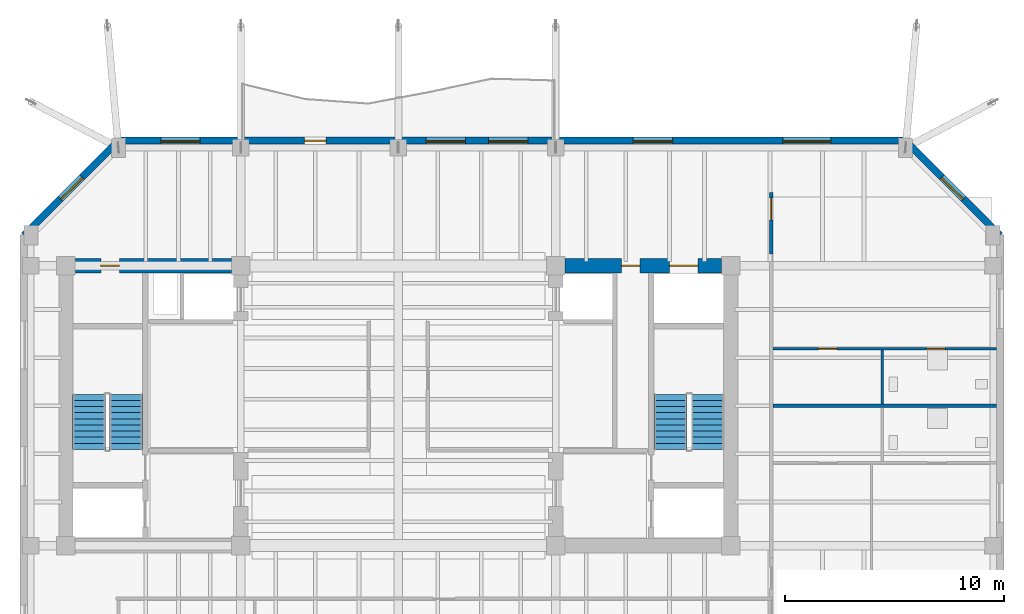
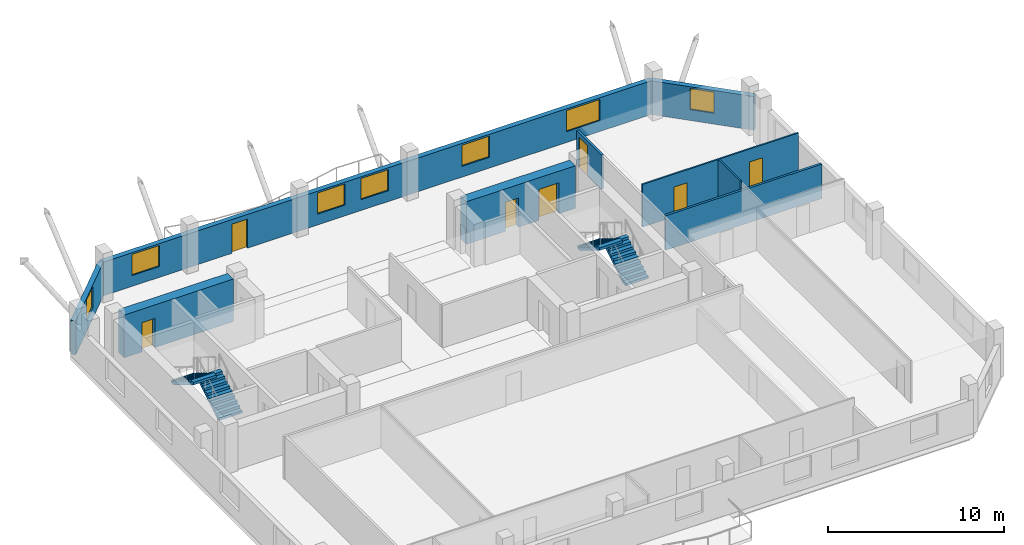
# One storey, part 7 of 11: 9 walls, 7 doors, 7 windows, 4 stair flights, 14 openings, 2 elements without a shape of their own.
"""IFC4 building model written with IfcOpenShell, lengths in metres."""

from ifc_helpers import new_model, si_unit, direction, frame, frame_2d, origin, place, context, subcontext, project, spatial, polyline, rectangle, outline, extrude, material, layer, layer_set, type_object, element, fill, aggregate, save


model = new_model("IFC4")

# Units and contexts
model_context = context("Model", 3, precision=1e-05, world=origin(), true_north=direction((0.0, 1.0)))
body_context = subcontext(model_context, "Body", "Model", "MODEL_VIEW")
ifc_project = project(units=[si_unit("LENGTHUNIT", "METRE"), si_unit("AREAUNIT", "SQUARE_METRE"), si_unit("VOLUMEUNIT", "CUBIC_METRE"), si_unit("PLANEANGLEUNIT", "RADIAN"), si_unit("MASSUNIT", "GRAM", prefix="KILO")], contexts=[model_context])

# Site, building, storey
site_placement = place(None, origin())
site = spatial("IfcSite", under=ifc_project, at=site_placement, CompositionType="ELEMENT")
building_placement = place(site_placement, origin())
building = spatial("IfcBuilding", under=site, at=building_placement, Name="Kranthara Brick Stack", CompositionType="ELEMENT")
storey_placement = place(building_placement, frame((0.0, 0.0, 244.89990234375)))
storey = spatial("IfcBuildingStorey", under=building, at=storey_placement, Name="L64", CompositionType="ELEMENT", Elevation=244.89990234375)

# Wall, opening, window
ifc_material_1 = material(Name="Warm buff clay brick masonry M15", Category="masonry")
ifc_layer_1 = layer(ifc_material_1, 0.320068359375)
ifc_layer_set_1 = layer_set([ifc_layer_1], Name="Warm buff clay brick masonry M15")
wall_type_1 = type_object("IfcWallType", Name="WL-BRK-UPPR-320", PredefinedType="STANDARD", material=ifc_layer_set_1)
wall_1_placement = place(storey_placement, frame((10.8798828125, 35.0, 0.0), z_axis=(0.0, 0.0, 1.0), x_axis=(0.707106781187, 0.707106781187, 0.0)))
wall_1 = element("IfcWall", 1, at=wall_1_placement, inside=storey, type_object=wall_type_1, Name="L64 Exterior Brick Facade Wall NW 1", PredefinedType="STANDARD", context=body_context, shape_type="SweptSolid", body=[
    extrude(rectangle(XDim=6.109619140625, YDim=0.320068359375, at=frame_2d((3.0546875, 0.0))), origin(), (0.0, 0.0, 1.0), 2.335205078125),
])
opening_1_placement = place(wall_1_placement, frame((2.35498046875, 0.0, 0.75)))
opening_1 = element("IfcOpeningElement", 2, at=opening_1_placement, cuts=wall_1, Name="Opening WN10", PredefinedType="OPENING", context=body_context, shape_type="SweptSolid", body=[
    extrude(rectangle(XDim=1.39990234375, YDim=1.465087890625, at=frame_2d((0.699951171875, 0.732421875))), frame((0.0, 0.169921875, 0.0), z_axis=(0.0, -1.0, 0.0), x_axis=(1.0, 0.0, 0.0)), (0.0, 0.0, 1.0), 0.340087890625),
])
ifc_material_2 = material(Name="Double-glazed low-E solar control glass", Category="glass")
window_type_1 = type_object("IfcWindowType", Name="WN-CHM-1400x1750", PartitioningType="SINGLE_PANEL", PredefinedType="WINDOW", material=ifc_material_2)
window_1_placement = place(opening_1_placement, origin())
window_1 = element("IfcWindow", 3, at=window_1_placement, inside=storey, type_object=window_type_1, Name="L64 NW Chamfer Corner Window", OverallHeight=1.465087890625, OverallWidth=1.39990234375, PartitioningType="SINGLE_PANEL", PredefinedType="WINDOW", context=body_context, shape_type="SweptSolid", body=[
    extrude(rectangle(XDim=1.39990234375, YDim=1.465087890625, at=frame_2d((0.699951171875, 0.732421875))), frame((0.0, -0.010009765625, 0.0), z_axis=(0.0, -1.0, 0.0), x_axis=(1.0, 0.0, 0.0)), (0.0, 0.0, 1.0), 0.06005859375),
])
fill(opening_1, window_1)

# Wall, openings, door, windows
wall_2_placement = place(storey_placement, frame((15.199951171875, 39.320068359375, 0.0), z_axis=(0.0, 0.0, 1.0), x_axis=(1.0, 0.0, 0.0)))
wall_2 = element("IfcWall", 4, at=wall_2_placement, inside=storey, type_object=wall_type_1, Name="L64 Exterior Brick Facade Wall NORTH 1", PredefinedType="STANDARD", context=body_context, shape_type="SweptSolid", body=[
    extrude(rectangle(XDim=36.0, YDim=0.320068359375, at=frame_2d((18.0, 0.0))), origin(), (0.0, 0.0, 1.0), 2.335205078125),
])
opening_2_placement = place(wall_2_placement, frame((8.5, 0.0, 0.0)))
opening_2 = element("IfcOpeningElement", 5, at=opening_2_placement, cuts=wall_2, Name="Opening D03", PredefinedType="OPENING", context=body_context, shape_type="SweptSolid", body=[
    extrude(rectangle(XDim=1.0, YDim=2.02001953125, at=frame_2d((0.5, 1.010009765625))), frame((0.0, 0.169921875, 0.0), z_axis=(0.0, -1.0, 0.0), x_axis=(1.0, 0.0, 0.0)), (0.0, 0.0, 1.0), 0.340087890625),
])
opening_3_placement = place(wall_2_placement, frame((1.93798828125, 0.0, 0.75)))
opening_3 = element("IfcOpeningElement", 6, at=opening_3_placement, cuts=wall_2, Name="Opening WN07", PredefinedType="OPENING", context=body_context, shape_type="SweptSolid", body=[
    extrude(rectangle(XDim=1.800048828125, YDim=1.465087890625, at=frame_2d((0.89990234375, 0.732421875))), frame((0.0, 0.169921875, 0.0), z_axis=(0.0, -1.0, 0.0), x_axis=(1.0, 0.0, 0.0)), (0.0, 0.0, 1.0), 0.340087890625),
])
opening_4_placement = place(wall_2_placement, frame((14.072021484375, 0.0, 0.75)))
opening_4 = element("IfcOpeningElement", 7, at=opening_4_placement, cuts=wall_2, Name="Opening WN07", PredefinedType="OPENING", context=body_context, shape_type="SweptSolid", body=[
    extrude(rectangle(XDim=1.800048828125, YDim=1.465087890625, at=frame_2d((0.89990234375, 0.732421875))), frame((0.0, 0.169921875, 0.0), z_axis=(0.0, -1.0, 0.0), x_axis=(1.0, 0.0, 0.0)), (0.0, 0.0, 1.0), 0.340087890625),
])
opening_5_placement = place(wall_2_placement, frame((16.927978515625, 0.0, 0.75)))
opening_5 = element("IfcOpeningElement", 8, at=opening_5_placement, cuts=wall_2, Name="Opening WN07", PredefinedType="OPENING", context=body_context, shape_type="SweptSolid", body=[
    extrude(rectangle(XDim=1.800048828125, YDim=1.465087890625, at=frame_2d((0.89990234375, 0.732421875))), frame((0.0, 0.169921875, 0.0), z_axis=(0.0, -1.0, 0.0), x_axis=(1.0, 0.0, 0.0)), (0.0, 0.0, 1.0), 0.340087890625),
])
opening_6_placement = place(wall_2_placement, frame((23.541015625, 0.0, 0.75)))
opening_6 = element("IfcOpeningElement", 9, at=opening_6_placement, cuts=wall_2, Name="Opening WN07", PredefinedType="OPENING", context=body_context, shape_type="SweptSolid", body=[
    extrude(rectangle(XDim=1.800048828125, YDim=1.465087890625, at=frame_2d((0.89990234375, 0.732421875))), frame((0.0, 0.169921875, 0.0), z_axis=(0.0, -1.0, 0.0), x_axis=(1.0, 0.0, 0.0)), (0.0, 0.0, 1.0), 0.340087890625),
])
opening_7_placement = place(wall_2_placement, frame((30.384033203125, 0.0, 0.75)))
opening_7 = element("IfcOpeningElement", 10, at=opening_7_placement, cuts=wall_2, Name="Opening WN08", PredefinedType="OPENING", context=body_context, shape_type="SweptSolid", body=[
    extrude(rectangle(XDim=2.199951171875, YDim=1.465087890625, at=frame_2d((1.10009765625, 0.732421875))), frame((0.0, 0.169921875, 0.0), z_axis=(0.0, -1.0, 0.0), x_axis=(1.0, 0.0, 0.0)), (0.0, 0.0, 1.0), 0.340087890625),
])
ifc_material_3 = material(Name="Bronze anodised aluminium and laminated glass", Category="aluminium")
door_type_1 = type_object("IfcDoorType", Name="DR-BALC-1000", OperationType="NOTDEFINED", PredefinedType="DOOR", material=ifc_material_3)
door_1_placement = place(opening_2_placement, origin())
door_1 = element("IfcDoor", 11, at=door_1_placement, inside=storey, type_object=door_type_1, Name="L64 North Balcony Terrace Door", OperationType="SINGLE_SWING_RIGHT", OverallHeight=2.02001953125, OverallWidth=1.0, PredefinedType="DOOR", context=body_context, shape_type="SweptSolid", body=[
    extrude(rectangle(XDim=1.0, YDim=2.02001953125, at=frame_2d((0.5, 1.010009765625))), frame((0.0, 0.02490234375, 0.0), z_axis=(0.0, -1.0, 0.0), x_axis=(1.0, 0.0, 0.0)), (0.0, 0.0, 1.0), 0.050048828125),
])
fill(opening_2, door_1)
ifc_material_4 = material(Name="Double-glazed low-E solar control glass", Category="glass")
window_type_2 = type_object("IfcWindowType", Name="WN-RES-1800x1850", PartitioningType="DOUBLE_PANEL_VERTICAL", PredefinedType="WINDOW", material=ifc_material_4)
window_2_placement = place(opening_3_placement, origin())
window_2 = element("IfcWindow", 12, at=window_2_placement, inside=storey, type_object=window_type_2, Name="L64 North Deep-Set Brick Window 01", OverallHeight=1.465087890625, OverallWidth=1.800048828125, PartitioningType="SINGLE_PANEL", PredefinedType="WINDOW", context=body_context, shape_type="SweptSolid", body=[
    extrude(rectangle(XDim=1.800048828125, YDim=1.465087890625, at=frame_2d((0.89990234375, 0.732421875))), frame((0.0, -0.010009765625, 0.0), z_axis=(0.0, -1.0, 0.0), x_axis=(1.0, 0.0, 0.0)), (0.0, 0.0, 1.0), 0.06005859375),
])
fill(opening_3, window_2)
window_3_placement = place(opening_4_placement, origin())
window_3 = element("IfcWindow", 13, at=window_3_placement, inside=storey, type_object=window_type_2, Name="L64 North Deep-Set Brick Window 02", OverallHeight=1.465087890625, OverallWidth=1.800048828125, PartitioningType="SINGLE_PANEL", PredefinedType="WINDOW", context=body_context, shape_type="SweptSolid", body=[
    extrude(rectangle(XDim=1.800048828125, YDim=1.465087890625, at=frame_2d((0.89990234375, 0.732421875))), frame((0.0, -0.010009765625, 0.0), z_axis=(0.0, -1.0, 0.0), x_axis=(1.0, 0.0, 0.0)), (0.0, 0.0, 1.0), 0.06005859375),
])
fill(opening_4, window_3)
window_4_placement = place(opening_5_placement, origin())
window_4 = element("IfcWindow", 14, at=window_4_placement, inside=storey, type_object=window_type_2, Name="L64 North Deep-Set Brick Window 03", OverallHeight=1.465087890625, OverallWidth=1.800048828125, PartitioningType="SINGLE_PANEL", PredefinedType="WINDOW", context=body_context, shape_type="SweptSolid", body=[
    extrude(rectangle(XDim=1.800048828125, YDim=1.465087890625, at=frame_2d((0.89990234375, 0.732421875))), frame((0.0, -0.010009765625, 0.0), z_axis=(0.0, -1.0, 0.0), x_axis=(1.0, 0.0, 0.0)), (0.0, 0.0, 1.0), 0.06005859375),
])
fill(opening_5, window_4)
window_5_placement = place(opening_6_placement, origin())
window_5 = element("IfcWindow", 15, at=window_5_placement, inside=storey, type_object=window_type_2, Name="L64 North Deep-Set Brick Window 04", OverallHeight=1.465087890625, OverallWidth=1.800048828125, PartitioningType="SINGLE_PANEL", PredefinedType="WINDOW", context=body_context, shape_type="SweptSolid", body=[
    extrude(rectangle(XDim=1.800048828125, YDim=1.465087890625, at=frame_2d((0.89990234375, 0.732421875))), frame((0.0, -0.010009765625, 0.0), z_axis=(0.0, -1.0, 0.0), x_axis=(1.0, 0.0, 0.0)), (0.0, 0.0, 1.0), 0.06005859375),
])
fill(opening_6, window_5)
ifc_material_5 = material(Name="Double-glazed low-E solar control glass", Category="glass")
window_type_3 = type_object("IfcWindowType", Name="WN-RES-2200x1850", PartitioningType="TRIPLE_PANEL_VERTICAL", PredefinedType="WINDOW", material=ifc_material_5)
window_6_placement = place(opening_7_placement, origin())
window_6 = element("IfcWindow", 16, at=window_6_placement, inside=storey, type_object=window_type_3, Name="L64 North Deep-Set Brick Window 05", OverallHeight=1.465087890625, OverallWidth=2.199951171875, PartitioningType="SINGLE_PANEL", PredefinedType="WINDOW", context=body_context, shape_type="SweptSolid", body=[
    extrude(rectangle(XDim=2.199951171875, YDim=1.465087890625, at=frame_2d((1.10009765625, 0.732421875))), frame((0.0, -0.010009765625, 0.0), z_axis=(0.0, -1.0, 0.0), x_axis=(1.0, 0.0, 0.0)), (0.0, 0.0, 1.0), 0.06005859375),
])
fill(opening_7, window_6)

# Wall, opening, window
wall_3_placement = place(storey_placement, frame((51.199951171875, 39.320068359375, 0.0), z_axis=(0.0, 0.0, 1.0), x_axis=(0.707106781187, -0.707106781187, 0.0)))
wall_3 = element("IfcWall", 17, at=wall_3_placement, inside=storey, type_object=wall_type_1, Name="L64 Exterior Brick Facade Wall NE 1", PredefinedType="STANDARD", context=body_context, shape_type="SweptSolid", body=[
    extrude(rectangle(XDim=6.109619140625, YDim=0.320068359375, at=frame_2d((3.0546875, 0.0))), origin(), (0.0, 0.0, 1.0), 2.335205078125),
])
opening_8_placement = place(wall_3_placement, frame((2.35498046875, 0.0, 0.75)))
opening_8 = element("IfcOpeningElement", 18, at=opening_8_placement, cuts=wall_3, Name="Opening WN10", PredefinedType="OPENING", context=body_context, shape_type="SweptSolid", body=[
    extrude(rectangle(XDim=1.39990234375, YDim=1.465087890625, at=frame_2d((0.699951171875, 0.732421875))), frame((0.0, 0.169921875, 0.0), z_axis=(0.0, -1.0, 0.0), x_axis=(1.0, 0.0, 0.0)), (0.0, 0.0, 1.0), 0.340087890625),
])
window_7_placement = place(opening_8_placement, origin())
window_7 = element("IfcWindow", 19, at=window_7_placement, inside=storey, type_object=window_type_1, Name="L64 NE Chamfer Corner Window", OverallHeight=1.465087890625, OverallWidth=1.39990234375, PartitioningType="SINGLE_PANEL", PredefinedType="WINDOW", context=body_context, shape_type="SweptSolid", body=[
    extrude(rectangle(XDim=1.39990234375, YDim=1.465087890625, at=frame_2d((0.699951171875, 0.732421875))), frame((0.0, -0.010009765625, 0.0), z_axis=(0.0, -1.0, 0.0), x_axis=(1.0, 0.0, 0.0)), (0.0, 0.0, 1.0), 0.06005859375),
])
fill(opening_8, window_7)

# Wall, opening, door
ifc_material_6 = material(Name="Concrete C60/75", Category="concrete")
ifc_layer_2 = layer(ifc_material_6, 0.64990234375)
ifc_layer_set_2 = layer_set([ifc_layer_2], Name="Concrete C60/75")
wall_type_2 = type_object("IfcWallType", Name="WL-CORE-650", PredefinedType="SHEAR", material=ifc_layer_set_2)
wall_4_placement = place(storey_placement, frame((13.22998046875, 33.60009765625, 0.0), z_axis=(0.0, 0.0, 1.0), x_axis=(1.0, 0.0, 0.0)))
wall_4 = element("IfcWall", 20, at=wall_4_placement, inside=storey, type_object=wall_type_2, Name="L64 West Core Shear Wall North", PredefinedType="SHEAR", context=body_context, shape_type="SweptSolid", body=[
    extrude(rectangle(XDim=7.14013671875, YDim=0.64990234375, at=frame_2d((3.570068359375, 0.0))), origin(), (0.0, 0.0, 1.0), 2.9501953125),
])
opening_9_placement = place(wall_4_placement, frame((1.169921875, 0.0, 0.0)))
opening_9 = element("IfcOpeningElement", 21, at=opening_9_placement, cuts=wall_4, Name="Opening D10", PredefinedType="OPENING", context=body_context, shape_type="SweptSolid", body=[
    extrude(rectangle(XDim=0.85009765625, YDim=2.02001953125, at=frame_2d((0.425048828125, 1.010009765625))), frame((0.0, 0.3349609375, 0.0), z_axis=(0.0, -1.0, 0.0), x_axis=(1.0, 0.0, 0.0)), (0.0, 0.0, 1.0), 0.669921875),
])
ifc_material_7 = material(Name="Solid-core hardwood timber leaf in steel frame", Category="steel")
door_type_2 = type_object("IfcDoorType", Name="DR-RSR-850", OperationType="NOTDEFINED", PredefinedType="DOOR", material=ifc_material_7)
door_2_placement = place(opening_9_placement, origin())
door_2 = element("IfcDoor", 22, at=door_2_placement, inside=storey, type_object=door_type_2, Name="L64 West Core Service Door 1", OperationType="SINGLE_SWING_LEFT", OverallHeight=2.02001953125, OverallWidth=0.85009765625, PredefinedType="DOOR", context=body_context, shape_type="SweptSolid", body=[
    extrude(rectangle(XDim=0.85009765625, YDim=2.02001953125, at=frame_2d((0.425048828125, 1.010009765625))), frame((0.0, 0.02490234375, 0.0), z_axis=(0.0, -1.0, 0.0), x_axis=(1.0, 0.0, 0.0)), (0.0, 0.0, 1.0), 0.050048828125),
])
fill(opening_9, door_2)

# Wall, openings, doors
wall_5_placement = place(storey_placement, frame((35.6298828125, 33.60009765625, 0.0), z_axis=(0.0, 0.0, 1.0), x_axis=(1.0, 0.0, 0.0)))
wall_5 = element("IfcWall", 23, at=wall_5_placement, inside=storey, type_object=wall_type_2, Name="L64 East Core Shear Wall North", PredefinedType="SHEAR", context=body_context, shape_type="SweptSolid", body=[
    extrude(rectangle(XDim=7.14013671875, YDim=0.64990234375, at=frame_2d((3.570068359375, 0.0))), origin(), (0.0, 0.0, 1.0), 2.9501953125),
])
opening_10_placement = place(wall_5_placement, frame((4.77001953125, 0.0, 0.0)))
opening_10 = element("IfcOpeningElement", 24, at=opening_10_placement, cuts=wall_5, Name="Opening LD03", PredefinedType="OPENING", context=body_context, shape_type="SweptSolid", body=[
    extrude(rectangle(XDim=1.300048828125, YDim=2.14990234375, at=frame_2d((0.64990234375, 1.074951171875))), frame((0.0, 0.3349609375, 0.0), z_axis=(0.0, -1.0, 0.0), x_axis=(1.0, 0.0, 0.0)), (0.0, 0.0, 1.0), 0.669921875),
])
opening_11_placement = place(wall_5_placement, frame((2.570068359375, 0.0, 0.0)))
opening_11 = element("IfcOpeningElement", 25, at=opening_11_placement, cuts=wall_5, Name="Opening D10", PredefinedType="OPENING", context=body_context, shape_type="SweptSolid", body=[
    extrude(rectangle(XDim=0.85009765625, YDim=2.02001953125, at=frame_2d((0.425048828125, 1.010009765625))), frame((0.0, 0.3349609375, 0.0), z_axis=(0.0, -1.0, 0.0), x_axis=(1.0, 0.0, 0.0)), (0.0, 0.0, 1.0), 0.669921875),
])
ifc_material_8 = material(Name="Stainless steel sliding landing door", Category="steel")
door_type_3 = type_object("IfcDoorType", Name="DR-LD-SV1300", OperationType="DOUBLE_DOOR_SLIDING", PredefinedType="DOOR", material=ifc_material_8)
door_3_placement = place(opening_10_placement, origin())
door_3 = element("IfcDoor", 26, at=door_3_placement, inside=storey, type_object=door_type_3, Name="L64 Stretcher Service Lift SV-01 Landing Door", OperationType="DOUBLE_DOOR_SLIDING", OverallHeight=2.14990234375, OverallWidth=1.300048828125, PredefinedType="DOOR", context=body_context, shape_type="SweptSolid", body=[
    extrude(rectangle(XDim=1.300048828125, YDim=2.14990234375, at=frame_2d((0.64990234375, 1.074951171875))), frame((0.0, 0.02490234375, 0.0), z_axis=(0.0, -1.0, 0.0), x_axis=(1.0, 0.0, 0.0)), (0.0, 0.0, 1.0), 0.050048828125),
])
fill(opening_10, door_3)
door_4_placement = place(opening_11_placement, origin())
door_4 = element("IfcDoor", 27, at=door_4_placement, inside=storey, type_object=door_type_2, Name="L64 East Core Service Room Door", OperationType="SINGLE_SWING_LEFT", OverallHeight=2.02001953125, OverallWidth=0.85009765625, PredefinedType="DOOR", context=body_context, shape_type="SweptSolid", body=[
    extrude(rectangle(XDim=0.85009765625, YDim=2.02001953125, at=frame_2d((0.425048828125, 1.010009765625))), frame((0.0, 0.02490234375, 0.0), z_axis=(0.0, -1.0, 0.0), x_axis=(1.0, 0.0, 0.0)), (0.0, 0.0, 1.0), 0.050048828125),
])
fill(opening_11, door_4)

ifc_material_9 = material(Name="Moisture-resistant wet-room partition", Category="other")
ifc_layer_3 = layer(ifc_material_9, 0.10009765625)
ifc_layer_set_3 = layer_set([ifc_layer_3], Name="Moisture-resistant wet-room partition")
wall_type_3 = type_object("IfcWallType", Name="WL-PART-100", PredefinedType="PARTITIONING", material=ifc_layer_set_3)
wall_6_placement = place(storey_placement, frame((45.1298828125, 29.81005859375, 0.0), z_axis=(0.0, 0.0, 1.0), x_axis=(1.0, 0.0, 0.0)))
wall_6 = element("IfcWall", 28, at=wall_6_placement, inside=storey, type_object=wall_type_3, Name="L64 Interior Partition 023", PredefinedType="PARTITIONING", context=body_context, shape_type="SweptSolid", body=[
    extrude(rectangle(XDim=10.22509765625, YDim=0.10009765625, at=frame_2d((5.112548828125, 0.0))), origin(), (0.0, 0.0, 1.0), 2.9501953125),
])
opening_12_placement = place(wall_6_placement, frame((2.0830078125, 0.0, 0.0)))
opening_12 = element("IfcOpeningElement", 29, at=opening_12_placement, cuts=wall_6, Name="Opening D16", PredefinedType="OPENING", context=body_context, shape_type="SweptSolid", body=[
    extrude(rectangle(XDim=0.85009765625, YDim=2.050048828125, at=frame_2d((0.425048828125, 1.02490234375))), frame((0.0, 0.06005859375, 0.0), z_axis=(0.0, -1.0, 0.0), x_axis=(1.0, 0.0, 0.0)), (0.0, 0.0, 1.0), 0.1201171875),
])
opening_13_placement = place(wall_6_placement, frame((7.028076171875, 0.0, 0.0)))
opening_13 = element("IfcOpeningElement", 30, at=opening_13_placement, cuts=wall_6, Name="Opening D17", PredefinedType="OPENING", context=body_context, shape_type="SweptSolid", body=[
    extrude(rectangle(XDim=0.85009765625, YDim=2.050048828125, at=frame_2d((0.425048828125, 1.02490234375))), frame((0.0, 0.06005859375, 0.0), z_axis=(0.0, -1.0, 0.0), x_axis=(1.0, 0.0, 0.0)), (0.0, 0.0, 1.0), 0.1201171875),
])
ifc_material_10 = material(Name="Solid-core hardwood timber leaf in steel frame", Category="steel")
door_type_4 = type_object("IfcDoorType", Name="DR-INT-850", OperationType="NOTDEFINED", PredefinedType="DOOR", material=ifc_material_10)
door_5_placement = place(opening_12_placement, origin())
door_5 = element("IfcDoor", 31, at=door_5_placement, inside=storey, type_object=door_type_4, Name="L64 Unit L64C Kitchen 15", OperationType="SINGLE_SWING_LEFT", OverallHeight=2.050048828125, OverallWidth=0.85009765625, PredefinedType="DOOR", context=body_context, shape_type="SweptSolid", body=[
    extrude(rectangle(XDim=0.85009765625, YDim=2.050048828125, at=frame_2d((0.425048828125, 1.02490234375))), frame((0.0, 0.02490234375, 0.0), z_axis=(0.0, -1.0, 0.0), x_axis=(1.0, 0.0, 0.0)), (0.0, 0.0, 1.0), 0.050048828125),
])
fill(opening_12, door_5)
ifc_material_11 = material(Name="Solid-core hardwood timber leaf in steel frame", Category="steel")
door_type_5 = type_object("IfcDoorType", Name="DR-WET-850", OperationType="NOTDEFINED", PredefinedType="DOOR", material=ifc_material_11)
door_6_placement = place(opening_13_placement, origin())
door_6 = element("IfcDoor", 32, at=door_6_placement, inside=storey, type_object=door_type_5, Name="L64 Unit L64C Bathroom 16", OperationType="SINGLE_SWING_RIGHT", OverallHeight=2.050048828125, OverallWidth=0.85009765625, PredefinedType="DOOR", context=body_context, shape_type="SweptSolid", body=[
    extrude(rectangle(XDim=0.85009765625, YDim=2.050048828125, at=frame_2d((0.425048828125, 1.02490234375))), frame((0.0, 0.02490234375, 0.0), z_axis=(0.0, -1.0, 0.0), x_axis=(1.0, 0.0, 0.0)), (0.0, 0.0, 1.0), 0.050048828125),
])
fill(opening_13, door_6)

# Wall
wall_7_placement = place(storey_placement, frame((50.135009765625, 27.280029296875, 0.0), z_axis=(0.0, 0.0, 1.0), x_axis=(0.0, 1.0, 0.0)))
element("IfcWall", 33, at=wall_7_placement, inside=storey, type_object=wall_type_3, Name="L64 Interior Partition 024", PredefinedType="PARTITIONING", context=body_context, shape_type="SweptSolid", body=[
    extrude(rectangle(XDim=2.474853515625, YDim=0.10009765625, at=frame_2d((1.2373046875, 0.0))), origin(), (0.0, 0.0, 1.0), 2.9501953125),
])

# Wall, opening, door
ifc_material_12 = material(Name="Fire-rated gypsum board partition", Category="other")
ifc_layer_4 = layer(ifc_material_12, 0.14990234375)
ifc_layer_set_4 = layer_set([ifc_layer_4], Name="Fire-rated gypsum board partition")
wall_type_4 = type_object("IfcWallType", Name="WL-PART-150", PredefinedType="PARTITIONING", material=ifc_layer_set_4)
wall_8_placement = place(storey_placement, frame((45.050048828125, 34.14990234375, 0.0), z_axis=(0.0, 0.0, 1.0), x_axis=(0.0, 1.0, 0.0)))
wall_8 = element("IfcWall", 34, at=wall_8_placement, inside=storey, type_object=wall_type_4, Name="L64 Interior Partition 017", PredefinedType="PARTITIONING", context=body_context, shape_type="SweptSolid", body=[
    extrude(rectangle(XDim=2.800048828125, YDim=0.14990234375, at=frame_2d((1.39990234375, 0.0))), origin(), (0.0, 0.0, 1.0), 2.385009765625),
])
opening_14_placement = place(wall_8_placement, frame((1.550048828125, 0.0, 0.0)))
opening_14 = element("IfcOpeningElement", 35, at=opening_14_placement, cuts=wall_8, Name="Opening D08", PredefinedType="OPENING", context=body_context, shape_type="SweptSolid", body=[
    extrude(rectangle(XDim=1.0, YDim=2.10009765625, at=frame_2d((0.5, 1.050048828125))), frame((0.0, 0.0849609375, 0.0), z_axis=(0.0, -1.0, 0.0), x_axis=(1.0, 0.0, 0.0)), (0.0, 0.0, 1.0), 0.169921875),
])
ifc_material_13 = material(Name="Solid-core hardwood timber leaf in steel frame", Category="steel")
door_type_6 = type_object("IfcDoorType", Name="DR-FD-1000", OperationType="NOTDEFINED", PredefinedType="DOOR", material=ifc_material_13)
door_7_placement = place(opening_14_placement, origin())
door_7 = element("IfcDoor", 36, at=door_7_placement, inside=storey, type_object=door_type_6, Name="L64 Unit L64C Entrance 14", OperationType="SINGLE_SWING_RIGHT", OverallHeight=2.10009765625, OverallWidth=1.0, PredefinedType="DOOR", context=body_context, shape_type="SweptSolid", body=[
    extrude(rectangle(XDim=1.0, YDim=2.10009765625, at=frame_2d((0.5, 1.050048828125))), frame((0.0, 0.02490234375, 0.0), z_axis=(0.0, -1.0, 0.0), x_axis=(1.0, 0.0, 0.0)), (0.0, 0.0, 1.0), 0.050048828125),
])
fill(opening_14, door_7)

# Wall
wall_9_placement = place(storey_placement, frame((45.1298828125, 27.199951171875, 0.0), z_axis=(0.0, 0.0, 1.0), x_axis=(1.0, 0.0, 0.0)))
element("IfcWall", 37, at=wall_9_placement, inside=storey, type_object=wall_type_4, Name="L64 Interior Partition 019", PredefinedType="PARTITIONING", context=body_context, shape_type="SweptSolid", body=[
    extrude(rectangle(XDim=10.22509765625, YDim=0.14990234375, at=frame_2d((5.112548828125, 0.0))), origin(), (0.0, 0.0, 1.0), 2.385009765625),
])

# Stair, stair flights
ifc_material_14 = material(Name="Concrete C45/55", Category="concrete")
stair_type = type_object("IfcStairType", Name="ST-CORE-20R", PredefinedType="HALF_TURN_STAIR", material=ifc_material_14)
stair_1_placement = place(storey_placement, origin())
stair_1 = element("IfcStair", 38, at=stair_1_placement, inside=storey, type_object=stair_type, Name="L64 West Core Protected Exit Stair ST01", PredefinedType="HALF_TURN_STAIR")
ifc_material_15 = material(Name="Concrete C45/55", Category="concrete")
stair_flight_type = type_object("IfcStairFlightType", Name="SFL-RC-20R", PredefinedType="STRAIGHT", material=ifc_material_15)
stair_flight_1_placement = place(storey_placement, frame((15.550048828125, 25.199951171875, 0.0), z_axis=(0.0, 0.0, 1.0), x_axis=(0.0, 1.0, 0.0)))
stair_flight_1 = element("IfcStairFlight", 39, at=stair_flight_1_placement, type_object=stair_flight_type, Name="ST01 flight 1", NumberOfRisers=10, NumberOfTreads=9, PredefinedType="STRAIGHT", RiserHeight=0.17, TreadLength=0.28, context=body_context, shape_type="SweptSolid", body=[
    extrude(outline(polyline([(0.0, 0.0), (0.0, 0.169921875), (0.280029296875, 0.169921875), (0.280029296875, 0.340087890625), (0.56005859375, 0.340087890625), (0.56005859375, 0.510009765625), (0.840087890625, 0.510009765625), (0.840087890625, 0.679931640625), (1.1201171875, 0.679931640625), (1.1201171875, 0.85009765625), (1.39990234375, 0.85009765625), (1.39990234375, 1.02001953125), (1.679931640625, 1.02001953125), (1.679931640625, 1.18994140625), (1.9599609375, 1.18994140625), (1.9599609375, 1.360107421875), (2.239990234375, 1.360107421875), (2.239990234375, 1.530029296875), (2.52001953125, 1.530029296875), (2.52001953125, 1.699951171875), (2.52001953125, 1.354736328125), (0.288818359375, 0.0), (0.0, 0.0)])), frame((0.0, 0.75, 0.0), z_axis=(0.0, -1.0, 0.0), x_axis=(1.0, 0.0, 0.0)), (0.0, 0.0, 1.0), 1.5),
])
stair_flight_2_placement = place(storey_placement, frame((13.85009765625, 27.719970703125, 1.7001953125), z_axis=(0.0, 0.0, 1.0), x_axis=(0.0, -1.0, 0.0)))
stair_flight_2 = element("IfcStairFlight", 40, at=stair_flight_2_placement, type_object=stair_flight_type, Name="ST01 flight 2", NumberOfRisers=10, NumberOfTreads=9, PredefinedType="STRAIGHT", RiserHeight=0.17, TreadLength=0.28, context=body_context, shape_type="SweptSolid", body=[
    extrude(outline(polyline([(0.0, 0.0), (0.0, 0.169921875), (0.280029296875, 0.169921875), (0.280029296875, 0.340087890625), (0.56005859375, 0.340087890625), (0.56005859375, 0.510009765625), (0.840087890625, 0.510009765625), (0.840087890625, 0.679931640625), (1.1201171875, 0.679931640625), (1.1201171875, 0.85009765625), (1.39990234375, 0.85009765625), (1.39990234375, 1.02001953125), (1.679931640625, 1.02001953125), (1.679931640625, 1.18994140625), (1.9599609375, 1.18994140625), (1.9599609375, 1.360107421875), (2.239990234375, 1.360107421875), (2.239990234375, 1.530029296875), (2.52001953125, 1.530029296875), (2.52001953125, 1.699951171875), (2.52001953125, 1.354736328125), (0.288818359375, 0.0), (0.0, 0.0)])), frame((0.0, 0.75, 0.0), z_axis=(0.0, -1.0, 0.0), x_axis=(1.0, 0.0, 0.0)), (0.0, 0.0, 1.0), 1.5),
])
aggregate(stair_1, [stair_flight_1, stair_flight_2])

stair_2_placement = place(storey_placement, origin())
stair_2 = element("IfcStair", 41, at=stair_2_placement, inside=storey, type_object=stair_type, Name="L64 East Core Protected Exit Stair ST02", PredefinedType="HALF_TURN_STAIR")
stair_flight_3_placement = place(storey_placement, frame((42.14990234375, 25.199951171875, 0.0), z_axis=(0.0, 0.0, 1.0), x_axis=(0.0, 1.0, 0.0)))
stair_flight_3 = element("IfcStairFlight", 42, at=stair_flight_3_placement, type_object=stair_flight_type, Name="ST02 flight 1", NumberOfRisers=10, NumberOfTreads=9, PredefinedType="STRAIGHT", RiserHeight=0.17, TreadLength=0.28, context=body_context, shape_type="SweptSolid", body=[
    extrude(outline(polyline([(0.0, 0.0), (0.0, 0.169921875), (0.280029296875, 0.169921875), (0.280029296875, 0.340087890625), (0.56005859375, 0.340087890625), (0.56005859375, 0.510009765625), (0.840087890625, 0.510009765625), (0.840087890625, 0.679931640625), (1.1201171875, 0.679931640625), (1.1201171875, 0.85009765625), (1.39990234375, 0.85009765625), (1.39990234375, 1.02001953125), (1.679931640625, 1.02001953125), (1.679931640625, 1.18994140625), (1.9599609375, 1.18994140625), (1.9599609375, 1.360107421875), (2.239990234375, 1.360107421875), (2.239990234375, 1.530029296875), (2.52001953125, 1.530029296875), (2.52001953125, 1.699951171875), (2.52001953125, 1.354736328125), (0.288818359375, 0.0), (0.0, 0.0)])), frame((0.0, 0.75, 0.0), z_axis=(0.0, -1.0, 0.0), x_axis=(1.0, 0.0, 0.0)), (0.0, 0.0, 1.0), 1.5),
])
stair_flight_4_placement = place(storey_placement, frame((40.449951171875, 27.719970703125, 1.7001953125), z_axis=(0.0, 0.0, 1.0), x_axis=(0.0, -1.0, 0.0)))
stair_flight_4 = element("IfcStairFlight", 43, at=stair_flight_4_placement, type_object=stair_flight_type, Name="ST02 flight 2", NumberOfRisers=10, NumberOfTreads=9, PredefinedType="STRAIGHT", RiserHeight=0.17, TreadLength=0.28, context=body_context, shape_type="SweptSolid", body=[
    extrude(outline(polyline([(0.0, 0.0), (0.0, 0.169921875), (0.280029296875, 0.169921875), (0.280029296875, 0.340087890625), (0.56005859375, 0.340087890625), (0.56005859375, 0.510009765625), (0.840087890625, 0.510009765625), (0.840087890625, 0.679931640625), (1.1201171875, 0.679931640625), (1.1201171875, 0.85009765625), (1.39990234375, 0.85009765625), (1.39990234375, 1.02001953125), (1.679931640625, 1.02001953125), (1.679931640625, 1.18994140625), (1.9599609375, 1.18994140625), (1.9599609375, 1.360107421875), (2.239990234375, 1.360107421875), (2.239990234375, 1.530029296875), (2.52001953125, 1.530029296875), (2.52001953125, 1.699951171875), (2.52001953125, 1.354736328125), (0.288818359375, 0.0), (0.0, 0.0)])), frame((0.0, 0.75, 0.0), z_axis=(0.0, -1.0, 0.0), x_axis=(1.0, 0.0, 0.0)), (0.0, 0.0, 1.0), 1.5),
])
aggregate(stair_2, [stair_flight_3, stair_flight_4])

save(model, "model.ifc")
